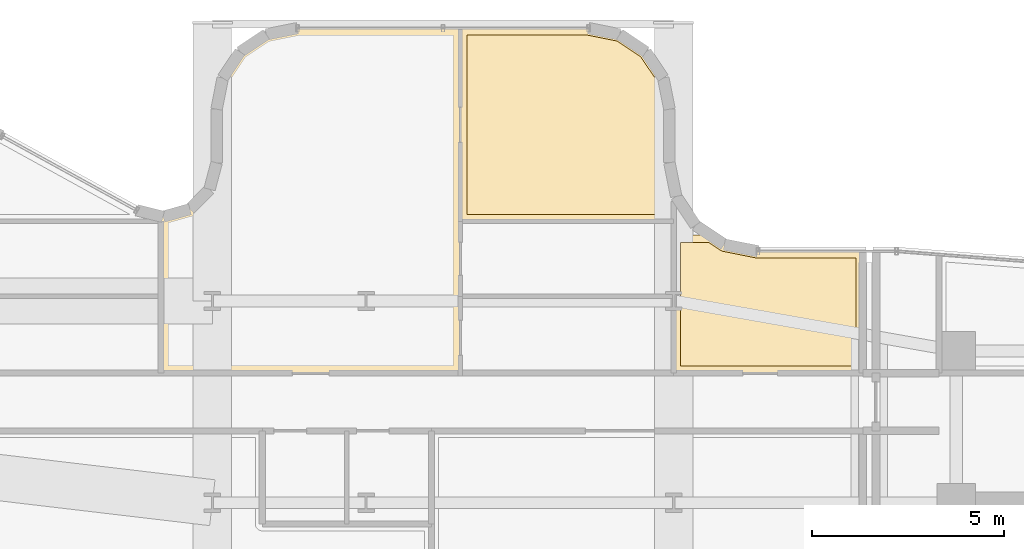
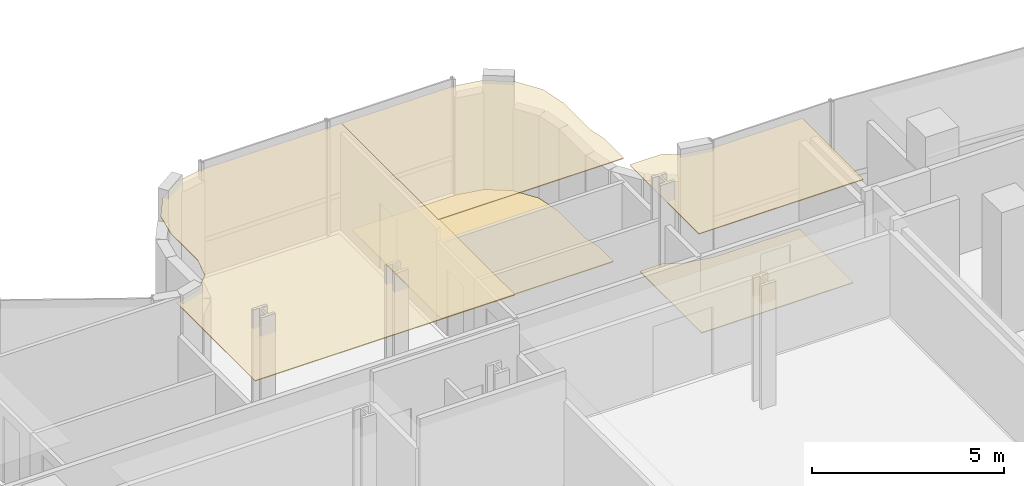
# One storey, part 38 of 38: 5 coverings.
"""IFC4 building model written with IfcOpenShell, lengths in metres."""

import ifcopenshell
import ifcopenshell.guid

model = None  # the IFC model being written
_history = None  # IfcOwnerHistory: only IFC2X3 demands one
_inside = {}  # id of a spatial element -> (the spatial element, [elements in it])
_under = {}  # id of a project, library or spatial element -> (it, [spatial elements below it])
_declared = {}  # id of a project -> (the project, [libraries it declares])
_typed = {}  # id of a type object -> (the type object, [elements of that type])
_made_of = {}  # id of a material, layer set ... -> (it, [elements and type objects made of it])


def new_model(schema):
    """Start an empty IFC model of exactly this schema.

    Asked for "IFC4X3", IfcOpenShell would pick the latest addendum, in which some entities
    have other attributes; the version numbers below select the first issue.
    IFC2X3 requires an IfcOwnerHistory on every rooted entity: one is made here for all.
    """
    global model, _history
    if schema == "IFC4X3":
        model = ifcopenshell.file(schema_version=(4, 3, 0, 0))
    else:
        model = ifcopenshell.file(schema=schema)
    _inside.clear()
    _under.clear()
    _declared.clear()
    _typed.clear()
    _made_of.clear()
    _history = None
    if model.schema == "IFC2X3":
        org = make("IfcOrganization", Name="unknown")
        user = make(
            "IfcPersonAndOrganization",
            ThePerson=make("IfcPerson", FamilyName="unknown"),
            TheOrganization=org,
        )
        app = make(
            "IfcApplication",
            ApplicationDeveloper=org,
            Version="unknown",
            ApplicationFullName="unknown",
            ApplicationIdentifier="unknown",
        )
        _history = make(
            "IfcOwnerHistory",
            OwningUser=user,
            OwningApplication=app,
            ChangeAction="ADDED",
            CreationDate=0,
        )
    return model


def make(cls, **values):
    """One entity of the class cls with the attributes given. An attribute that is None is left unset."""
    return model.create_entity(
        cls, **{name: value for name, value in values.items() if value is not None}
    )


def rooted(cls, **values):
    """An entity with a GlobalId (a new one), such as an element, a storey or a relation."""
    return make(cls, GlobalId=ifcopenshell.guid.new(), OwnerHistory=_history, **values)


def si_unit(unit_type, name, prefix=None):
    """IfcSIUnit, for example si_unit("LENGTHUNIT", "METRE", prefix="MILLI")."""
    return make("IfcSIUnit", UnitType=unit_type, Prefix=prefix, Name=name)


def assignment(units):
    """IfcUnitAssignment: the units of a project."""
    return None if units is None else make("IfcUnitAssignment", Units=units)


def point(xyz):
    """IfcCartesianPoint."""
    return None if xyz is None else make("IfcCartesianPoint", Coordinates=xyz)


def direction(xyz):
    """IfcDirection."""
    return None if xyz is None else make("IfcDirection", DirectionRatios=xyz)


def frame(location, z_axis=None, x_axis=None):
    """IfcAxis2Placement3D, a coordinate frame: its origin and axes. An axis left out is left unset."""
    return make(
        "IfcAxis2Placement3D",
        Location=point(location),
        Axis=direction(z_axis),
        RefDirection=direction(x_axis),
    )


def origin():
    """The frame at (0, 0, 0) with its axes left unset."""
    return frame((0.0, 0.0, 0.0))


def place(relative_to, where):
    """IfcLocalPlacement: puts the frame where relative to a parent placement (None: the world)."""
    return make(
        "IfcLocalPlacement", PlacementRelTo=relative_to, RelativePlacement=where
    )


def context(
    kind, dimensions, precision=None, world=None, true_north=None, identifier=None
):
    """IfcGeometricRepresentationContext, for example the 3D "Model" context."""
    return make(
        "IfcGeometricRepresentationContext",
        ContextIdentifier=identifier,
        ContextType=kind,
        CoordinateSpaceDimension=dimensions,
        Precision=precision,
        WorldCoordinateSystem=world,
        TrueNorth=true_north,
    )


def subcontext(parent, identifier, kind, view, scale=None):
    """IfcGeometricRepresentationSubContext, for example "Body" below "Model"."""
    return make(
        "IfcGeometricRepresentationSubContext",
        ContextIdentifier=identifier,
        ContextType=kind,
        ParentContext=parent,
        TargetScale=scale,
        TargetView=view,
    )


def project(units=None, contexts=None):
    """IfcProject with its units and contexts."""
    return rooted(
        "IfcProject",
        Name="project",
        RepresentationContexts=contexts,
        UnitsInContext=assignment(units),
    )


def spatial(cls, under=None, at=None, **own):
    """A site, building, storey or space (cls), placed at a placement, below another one or the project."""
    s = rooted(cls, ObjectPlacement=at, **own)
    if under is not None:
        _under.setdefault(under.id(), (under, []))[1].append(s)
    return s


def polyline(points):
    """IfcPolyline through the points."""
    return make("IfcPolyline", Points=[point(p) for p in points])


def outline(outer, holes=None, kind="AREA"):
    """IfcArbitraryClosedProfileDef: a profile drawn as a closed curve; with holes, ...WithVoids."""
    if holes is None:
        return make("IfcArbitraryClosedProfileDef", ProfileType=kind, OuterCurve=outer)
    return make(
        "IfcArbitraryProfileDefWithVoids",
        ProfileType=kind,
        OuterCurve=outer,
        InnerCurves=holes,
    )


def extrude(swept, where, along, depth):
    """IfcExtrudedAreaSolid: the profile swept, set in the frame where, extruded along a direction by depth."""
    return make(
        "IfcExtrudedAreaSolid",
        SweptArea=swept,
        Position=where,
        ExtrudedDirection=direction(along),
        Depth=depth,
    )


def shape(context_of_items, identifier, shape_type, items):
    """IfcShapeRepresentation: the items that make up one representation, for example the "Body"."""
    return make(
        "IfcShapeRepresentation",
        ContextOfItems=context_of_items,
        RepresentationIdentifier=identifier,
        RepresentationType=shape_type,
        Items=items,
    )


def material(Name=None, Category=None):
    """IfcMaterial."""
    return make("IfcMaterial", Name=Name, Category=Category)


def layer(
    of_material, thickness, ventilated=None, Name=None, Category=None, Priority=None
):
    """IfcMaterialLayer: one layer of a wall or slab, of a material (None: an air gap)."""
    return make(
        "IfcMaterialLayer",
        Material=of_material,
        LayerThickness=thickness,
        IsVentilated=ventilated,
        Name=Name,
        Category=Category,
        Priority=Priority,
    )


def layer_set(layers, Name=None):
    """IfcMaterialLayerSet."""
    return make("IfcMaterialLayerSet", MaterialLayers=layers, LayerSetName=Name)


def made_of(thing, what):
    """Note that an element or type object is made of a material, layer set ...; save() writes the relation."""
    if what is not None:
        _made_of.setdefault(what.id(), (what, []))[1].append(thing)
    return thing


def type_object(cls, material=None, **own):
    """A type object (cls), such as IfcWallType, which elements share."""
    return made_of(rooted(cls, **own), material)


def element(
    cls,
    number,
    at=None,
    inside=None,
    cuts=None,
    type_object=None,
    material=None,
    context=None,
    identifier="Body",
    shape_type=None,
    held_by="IfcProductDefinitionShape",
    body=None,
    shapes=None,
    **own,
):
    """One element of the class cls, such as IfcWall. Its Tag is "e" and its number.

    at: its placement. inside: the storey or other place that contains it. cuts: it is an
    opening in that element (IfcRelVoidsElement). A single representation is given by context,
    identifier, shape_type and body (its items); several are given by shapes. held_by: the class
    of the entity that holds the representations. save() writes the other relations.
    """
    e = rooted(cls, Tag="e%d" % number, ObjectPlacement=at, **own)
    if body is not None:
        shapes = [shape(context, identifier, shape_type, body)]
    if shapes is not None:
        e.Representation = make(held_by, Representations=shapes)
    if inside is not None:
        _inside.setdefault(inside.id(), (inside, []))[1].append(e)
    if cuts is not None:
        rooted(
            "IfcRelVoidsElement", RelatingBuildingElement=cuts, RelatedOpeningElement=e
        )
    if type_object is not None:
        _typed.setdefault(type_object.id(), (type_object, []))[1].append(e)
    return made_of(e, material)


def aggregate(whole, parts):
    """IfcRelAggregates: a whole, such as a stair, and the parts it consists of."""
    return rooted("IfcRelAggregates", RelatingObject=whole, RelatedObjects=parts)


def save(model, path):
    """Write the relations noted so far, then the file.

    IfcRelAggregates (storeys below a building ...), IfcRelContainedInSpatialStructure (elements
    in a storey), IfcRelDefinesByType, IfcRelAssociatesMaterial and IfcRelDeclares: one each for
    every whole, place, type object, material and project.
    """
    for whole, parts in _under.values():
        aggregate(whole, parts)
    for where, things in _inside.values():
        rooted(
            "IfcRelContainedInSpatialStructure",
            RelatedElements=things,
            RelatingStructure=where,
        )
    for kind, things in _typed.values():
        rooted("IfcRelDefinesByType", RelatedObjects=things, RelatingType=kind)
    for what, things in _made_of.values():
        rooted("IfcRelAssociatesMaterial", RelatedObjects=things, RelatingMaterial=what)
    for by, libraries in _declared.values():
        rooted("IfcRelDeclares", RelatingContext=by, RelatedDefinitions=libraries)
    model.write(path)


model = new_model("IFC4")

# Units and contexts
model_context = context("Model", 3, precision=1e-05, world=origin(), true_north=direction((0.0, 1.0)))
body_context = subcontext(model_context, "Body", "Model", "MODEL_VIEW")
ifc_project = project(units=[si_unit("LENGTHUNIT", "METRE"), si_unit("AREAUNIT", "SQUARE_METRE"), si_unit("VOLUMEUNIT", "CUBIC_METRE"), si_unit("PLANEANGLEUNIT", "RADIAN"), si_unit("MASSUNIT", "GRAM", prefix="KILO")], contexts=[model_context])

# Site, building, storey
site_placement = place(None, origin())
site = spatial("IfcSite", under=ifc_project, at=site_placement, CompositionType="ELEMENT")
building_placement = place(site_placement, origin())
building = spatial("IfcBuilding", under=site, at=building_placement, Name="Valdorenza Pilgrim Sanctuary Tower", CompositionType="ELEMENT")
storey_placement = place(building_placement, frame((0.0, 0.0, 180.5)))
storey = spatial("IfcBuildingStorey", under=building, at=storey_placement, Name="L46", CompositionType="ELEMENT", Elevation=180.5)

# Coverings
ifc_material_1 = material(Name="Micro-perforated acoustic mineral ceiling tile", Category="gypsum")
ifc_layer_1 = layer(ifc_material_1, 0.02490234375, Name="Micro-perforated acoustic mineral ceiling tile")
ifc_layer_set_1 = layer_set([ifc_layer_1], Name="Micro-perforated acoustic mineral ceiling tile")
covering_type_1 = type_object("IfcCoveringType", Name="COV-CLG-ACU", PredefinedType="CEILING", material=ifc_layer_set_1)
covering_1_placement = place(storey_placement, frame((0.0, 0.0, 3.330078125)))
element("IfcCovering", 1, at=covering_1_placement, inside=storey, type_object=covering_type_1, Name="L46 North Family Flat L46-N3 Bedroom Acoustic Ceiling", PredefinedType="CEILING", context=body_context, shape_type="SweptSolid", body=[
    extrude(outline(polyline([(2.9501953125, 16.85498046875), (2.94873046875, 16.85498046875), (2.947265625, 16.855224609375), (2.94580078125, 16.855712890625), (2.944580078125, 16.856201171875), (2.943115234375, 16.856689453125), (2.94189453125, 16.857421875), (2.940673828125, 16.8583984375), (2.939697265625, 16.859375), (2.938720703125, 16.860595703125), (2.937744140625, 16.86181640625), (2.93701171875, 16.86279296875), (2.936279296875, 16.8642578125), (2.935791015625, 16.865478515625), (2.935546875, 16.8671875), (2.935302734375, 16.868408203125), (2.935302734375, 16.8701171875), (2.935302734375, 21.889892578125), (2.935302734375, 21.8916015625), (2.935546875, 21.892822265625), (2.935791015625, 21.894287109375), (2.936279296875, 21.895751953125), (2.93701171875, 21.897216796875), (2.937744140625, 21.898193359375), (2.938720703125, 21.8994140625), (2.939697265625, 21.900634765625), (2.940673828125, 21.901611328125), (2.94189453125, 21.902587890625), (2.943115234375, 21.9033203125), (2.944580078125, 21.90380859375), (2.94580078125, 21.904296875), (2.947265625, 21.90478515625), (2.94873046875, 21.90478515625), (2.9501953125, 21.905029296875), (6.28515625, 21.905029296875), (6.28662109375, 21.90478515625), (6.2880859375, 21.90478515625), (7.099365234375, 21.743408203125), (7.100830078125, 21.742919921875), (7.102294921875, 21.742431640625), (7.103515625, 21.74169921875), (7.104736328125, 21.7412109375), (7.783447265625, 21.28759765625), (7.78466796875, 21.286865234375), (7.785888671875, 21.285888671875), (7.786865234375, 21.28466796875), (7.78759765625, 21.283447265625), (8.2412109375, 20.604736328125), (8.24169921875, 20.603515625), (8.242431640625, 20.602294921875), (8.242919921875, 20.600830078125), (8.243408203125, 20.599365234375), (8.40478515625, 19.7880859375), (8.40478515625, 19.78662109375), (8.405029296875, 19.78515625), (8.405029296875, 18.404296875), (8.405517578125, 18.394775390625), (8.406982421875, 18.385009765625), (8.5146484375, 17.84326171875), (8.514892578125, 17.841796875), (8.514892578125, 17.84033203125), (8.514892578125, 16.8701171875), (8.514892578125, 16.868408203125), (8.5146484375, 16.8671875), (8.514404296875, 16.865478515625), (8.513916015625, 16.8642578125), (8.51318359375, 16.86279296875), (8.512451171875, 16.86181640625), (8.51171875, 16.860595703125), (8.510498046875, 16.859375), (8.509521484375, 16.8583984375), (8.50830078125, 16.857421875), (8.507080078125, 16.856689453125), (8.505615234375, 16.856201171875), (8.50439453125, 16.855712890625), (8.5029296875, 16.855224609375), (8.50146484375, 16.85498046875), (8.5, 16.85498046875), (2.9501953125, 16.85498046875)])), origin(), (0.0, 0.0, 1.0), 0.02490234375),
])
covering_2_placement = place(storey_placement, frame((0.0, 0.0, 3.330078125)))
element("IfcCovering", 2, at=covering_2_placement, inside=storey, type_object=covering_type_1, Name="L46 North Family Flat L46-N3 Living Room Acoustic Ceiling", PredefinedType="CEILING", context=body_context, shape_type="SweptSolid", body=[
    extrude(outline(polyline([(-4.845947265625, 14.918212890625), (-4.84619140625, 14.9189453125), (-4.84619140625, 14.92041015625), (-4.84619140625, 14.922119140625), (-4.84619140625, 14.923583984375), (-4.845947265625, 14.923828125), (-4.845947265625, 16.8662109375), (-4.84619140625, 16.866943359375), (-4.84619140625, 16.868408203125), (-4.84619140625, 16.8701171875), (-4.84619140625, 16.87158203125), (-4.845947265625, 16.871826171875), (-4.845947265625, 16.99951171875), (-4.845947265625, 17.001220703125), (-4.845703125, 17.002685546875), (-4.84521484375, 17.004150390625), (-4.8447265625, 17.005615234375), (-4.843994140625, 17.0068359375), (-4.84326171875, 17.008056640625), (-4.84228515625, 17.00927734375), (-4.84130859375, 17.010498046875), (-4.840087890625, 17.011474609375), (-4.839111328125, 17.01220703125), (-4.837646484375, 17.012939453125), (-4.836181640625, 17.013671875), (-4.8349609375, 17.01416015625), (-4.83349609375, 17.014404296875), (-4.831787109375, 17.0146484375), (-4.830322265625, 17.0146484375), (-4.828857421875, 17.014404296875), (-4.827392578125, 17.01416015625), (-4.80615234375, 17.0087890625), (-4.796142578125, 17.0068359375), (-4.786376953125, 17.006103515625), (-4.776611328125, 17.006103515625), (-4.7666015625, 17.00732421875), (-4.756591796875, 17.009765625), (-4.114501953125, 17.19091796875), (-4.104736328125, 17.194091796875), (-4.095947265625, 17.197998046875), (-4.08740234375, 17.203125), (-4.07958984375, 17.208984375), (-4.072021484375, 17.2158203125), (-3.603759765625, 17.69140625), (-3.596923828125, 17.698974609375), (-3.59130859375, 17.70703125), (-3.58642578125, 17.715576171875), (-3.58251953125, 17.724609375), (-3.579345703125, 17.734375), (-3.408203125, 18.37939453125), (-3.406494140625, 18.3876953125), (-3.405517578125, 18.395751953125), (-3.405029296875, 18.404296875), (-3.405029296875, 19.78515625), (-3.40478515625, 19.78662109375), (-3.40478515625, 19.7880859375), (-3.243408203125, 20.599365234375), (-3.242919921875, 20.600830078125), (-3.242431640625, 20.602294921875), (-3.24169921875, 20.603515625), (-3.2412109375, 20.604736328125), (-2.78759765625, 21.283447265625), (-2.786865234375, 21.28466796875), (-2.785888671875, 21.285888671875), (-2.78466796875, 21.286865234375), (-2.783447265625, 21.28759765625), (-2.104736328125, 21.7412109375), (-2.103515625, 21.74169921875), (-2.102294921875, 21.742431640625), (-2.100830078125, 21.742919921875), (-2.099365234375, 21.743408203125), (-1.2880859375, 21.90478515625), (-1.28662109375, 21.90478515625), (-1.28515625, 21.905029296875), (2.9482421875, 21.905029296875), (2.94970703125, 21.90478515625), (2.951171875, 21.90478515625), (2.95263671875, 21.904296875), (2.953857421875, 21.90380859375), (2.955322265625, 21.9033203125), (2.95654296875, 21.902587890625), (2.957763671875, 21.901611328125), (2.958740234375, 21.900634765625), (2.959716796875, 21.8994140625), (2.960693359375, 21.898193359375), (2.96142578125, 21.897216796875), (2.962158203125, 21.895751953125), (2.962646484375, 21.894287109375), (2.962890625, 21.892822265625), (2.963134765625, 21.8916015625), (2.963134765625, 21.889892578125), (2.963134765625, 16.87548828125), (2.96337890625, 16.875), (2.964111328125, 16.87353515625), (2.964599609375, 16.872314453125), (2.96484375, 16.870849609375), (2.965087890625, 16.869384765625), (2.965087890625, 16.867919921875), (2.965087890625, 12.919921875), (2.965087890625, 12.91845703125), (2.96484375, 12.9169921875), (2.964599609375, 12.91552734375), (2.964111328125, 12.914306640625), (2.96337890625, 12.912841796875), (2.962646484375, 12.91162109375), (2.9619140625, 12.910400390625), (2.960693359375, 12.909423828125), (2.959716796875, 12.908447265625), (2.95849609375, 12.907470703125), (2.957275390625, 12.90673828125), (2.955810546875, 12.906005859375), (2.95458984375, 12.905517578125), (2.953125, 12.9052734375), (2.95166015625, 12.905029296875), (2.9501953125, 12.905029296875), (-4.8310546875, 12.905029296875), (-4.83251953125, 12.905029296875), (-4.833984375, 12.9052734375), (-4.83544921875, 12.905517578125), (-4.836669921875, 12.906005859375), (-4.838134765625, 12.90673828125), (-4.83935546875, 12.907470703125), (-4.840576171875, 12.908447265625), (-4.841552734375, 12.909423828125), (-4.842529296875, 12.910400390625), (-4.843505859375, 12.91162109375), (-4.84423828125, 12.912841796875), (-4.844970703125, 12.914306640625), (-4.845458984375, 12.91552734375), (-4.845703125, 12.9169921875), (-4.845947265625, 12.91845703125), (-4.845947265625, 12.919921875), (-4.845947265625, 14.918212890625)])), origin(), (0.0, 0.0, 1.0), 0.02490234375),
])
covering_3_placement = place(storey_placement, frame((0.0, 0.0, 3.330078125)))
element("IfcCovering", 3, at=covering_3_placement, inside=storey, type_object=covering_type_1, Name="L46 East Contemplation Salon L46 Acoustic Ceiling", PredefinedType="CEILING", context=body_context, shape_type="SweptSolid", body=[
    extrude(outline(polyline([(8.487060546875, 14.918212890625), (8.48681640625, 14.9189453125), (8.48681640625, 14.92041015625), (8.48681640625, 14.922119140625), (8.48681640625, 14.923583984375), (8.487060546875, 14.923828125), (8.487060546875, 16.5), (8.487060546875, 16.50146484375), (8.4873046875, 16.5029296875), (8.487548828125, 16.50439453125), (8.488037109375, 16.505615234375), (8.48876953125, 16.507080078125), (8.489501953125, 16.50830078125), (8.490478515625, 16.509521484375), (8.491455078125, 16.510498046875), (8.492431640625, 16.51171875), (8.49365234375, 16.512451171875), (8.494873046875, 16.51318359375), (8.496337890625, 16.513916015625), (8.49755859375, 16.514404296875), (8.4990234375, 16.5146484375), (8.50048828125, 16.514892578125), (8.501953125, 16.514892578125), (9.464599609375, 16.514892578125), (9.466064453125, 16.514892578125), (9.467529296875, 16.5146484375), (9.468994140625, 16.514404296875), (9.470458984375, 16.513916015625), (9.4716796875, 16.51318359375), (9.472900390625, 16.512451171875), (9.8076171875, 16.2890625), (9.81591796875, 16.283935546875), (9.82421875, 16.280029296875), (9.8330078125, 16.27685546875), (9.84228515625, 16.274658203125), (10.68505859375, 16.10693359375), (10.694580078125, 16.10546875), (10.704345703125, 16.10498046875), (13.419921875, 16.10498046875), (13.42138671875, 16.10498046875), (13.4228515625, 16.104736328125), (13.42431640625, 16.1044921875), (13.42578125, 16.10400390625), (13.427001953125, 16.103271484375), (13.42822265625, 16.1025390625), (13.429443359375, 16.1015625), (13.4306640625, 16.1005859375), (13.431640625, 16.099609375), (13.4326171875, 16.098388671875), (13.43310546875, 16.09716796875), (13.433837890625, 16.095703125), (13.434326171875, 16.094482421875), (13.434814453125, 16.093017578125), (13.434814453125, 16.091552734375), (13.43505859375, 16.090087890625), (13.43505859375, 12.919921875), (13.434814453125, 12.91845703125), (13.434814453125, 12.9169921875), (13.434326171875, 12.91552734375), (13.433837890625, 12.914306640625), (13.43310546875, 12.912841796875), (13.4326171875, 12.91162109375), (13.431640625, 12.910400390625), (13.4306640625, 12.909423828125), (13.429443359375, 12.908447265625), (13.42822265625, 12.907470703125), (13.427001953125, 12.90673828125), (13.42578125, 12.906005859375), (13.42431640625, 12.905517578125), (13.4228515625, 12.9052734375), (13.42138671875, 12.905029296875), (13.419921875, 12.905029296875), (8.501953125, 12.905029296875), (8.50048828125, 12.905029296875), (8.4990234375, 12.9052734375), (8.49755859375, 12.905517578125), (8.496337890625, 12.906005859375), (8.494873046875, 12.90673828125), (8.49365234375, 12.907470703125), (8.492431640625, 12.908447265625), (8.491455078125, 12.909423828125), (8.490478515625, 12.910400390625), (8.489501953125, 12.91162109375), (8.48876953125, 12.912841796875), (8.488037109375, 12.914306640625), (8.487548828125, 12.91552734375), (8.4873046875, 12.9169921875), (8.487060546875, 12.91845703125), (8.487060546875, 12.919921875), (8.487060546875, 14.918212890625)])), origin(), (0.0, 0.0, 1.0), 0.02490234375),
])
ifc_material_2 = material(Name="Engineered European oak timber flooring", Category="wood")
ifc_layer_2 = layer(ifc_material_2, 0.02197265625, Name="Engineered European oak timber flooring")
ifc_layer_set_2 = layer_set([ifc_layer_2], Name="Engineered European oak timber flooring")
covering_type_2 = type_object("IfcCoveringType", Name="COV-FLR-OAK", PredefinedType="FLOORING", material=ifc_layer_set_2)
covering_4_placement = place(storey_placement, origin())
element("IfcCovering", 4, at=covering_4_placement, inside=storey, type_object=covering_type_2, Name="L46 North Family Flat L46-N3 Bedroom Flooring", PredefinedType="FLOORING", context=body_context, shape_type="SweptSolid", body=[
    extrude(outline(polyline([(3.130126953125, 17.050048828125), (3.130126953125, 21.7099609375), (6.267333984375, 21.7099609375), (7.0263671875, 21.55908203125), (7.6455078125, 21.1455078125), (8.05908203125, 20.5263671875), (8.2099609375, 19.767333984375), (8.2099609375, 18.404052734375), (8.210205078125, 18.395263671875), (8.210693359375, 18.384521484375), (8.21240234375, 18.36669921875), (8.214111328125, 18.356201171875), (8.215576171875, 18.347412109375), (8.320068359375, 17.822509765625), (8.320068359375, 17.050048828125), (3.130126953125, 17.050048828125)])), origin(), (0.0, 0.0, 1.0), 0.02490234375),
])
ifc_material_3 = material(Name="Honed travertine stone flooring", Category="masonry")
ifc_layer_3 = layer(ifc_material_3, 0.030029296875, Name="Honed travertine stone flooring")
ifc_layer_set_3 = layer_set([ifc_layer_3], Name="Honed travertine stone flooring")
covering_type_3 = type_object("IfcCoveringType", Name="COV-FLR-TRV", PredefinedType="FLOORING", material=ifc_layer_set_3)
covering_5_placement = place(storey_placement, origin())
element("IfcCovering", 5, at=covering_5_placement, inside=storey, type_object=covering_type_3, Name="L46 East Contemplation Salon L46 Flooring", PredefinedType="FLOORING", context=body_context, shape_type="SweptSolid", body=[
    extrude(outline(polyline([(8.681884765625, 14.921630859375), (8.681884765625, 14.922119140625), (8.681884765625, 16.320068359375), (9.41015625, 16.320068359375), (9.699462890625, 16.126708984375), (9.70703125, 16.121826171875), (9.71630859375, 16.116455078125), (9.731689453125, 16.108154296875), (9.74169921875, 16.103515625), (9.7578125, 16.0966796875), (9.76806640625, 16.093017578125), (9.784912109375, 16.087890625), (9.79541015625, 16.085205078125), (9.803955078125, 16.08349609375), (10.6474609375, 15.91552734375), (10.656005859375, 15.9140625), (10.666748046875, 15.91259765625), (10.684326171875, 15.91064453125), (10.6953125, 15.91015625), (10.7041015625, 15.909912109375), (13.239990234375, 15.909912109375), (13.239990234375, 13.10009765625), (8.681884765625, 13.10009765625), (8.681884765625, 14.919921875), (8.681884765625, 14.9208984375), (8.681884765625, 14.921630859375)])), origin(), (0.0, 0.0, 1.0), 0.02490234375),
])

save(model, "model.ifc")
